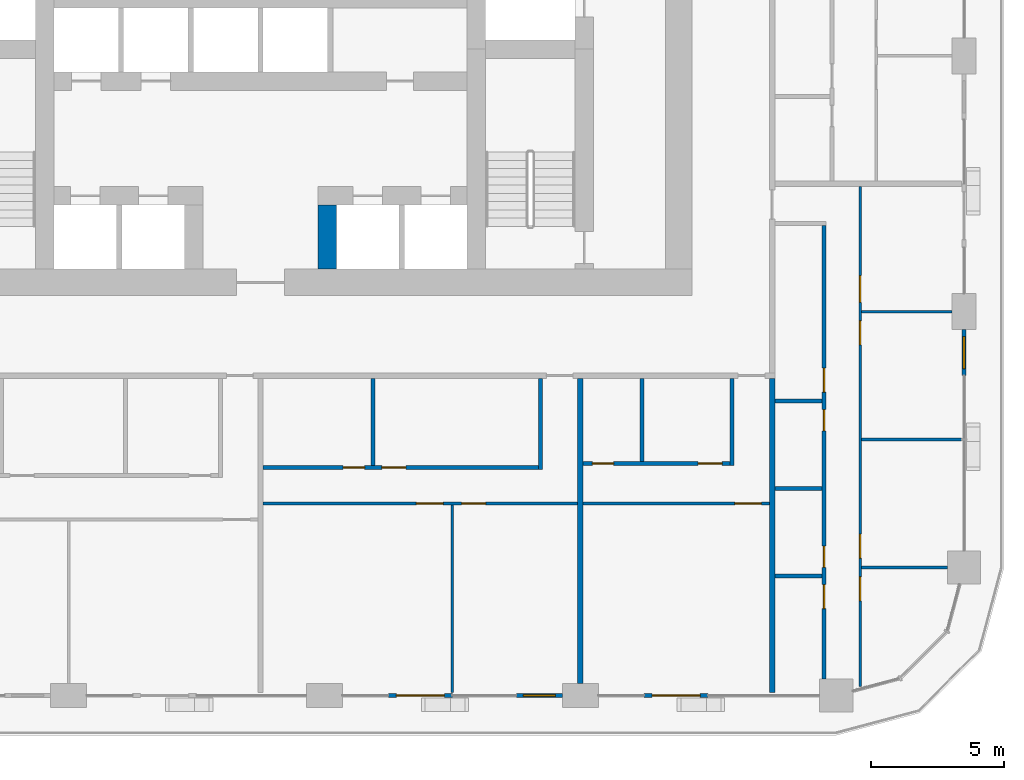
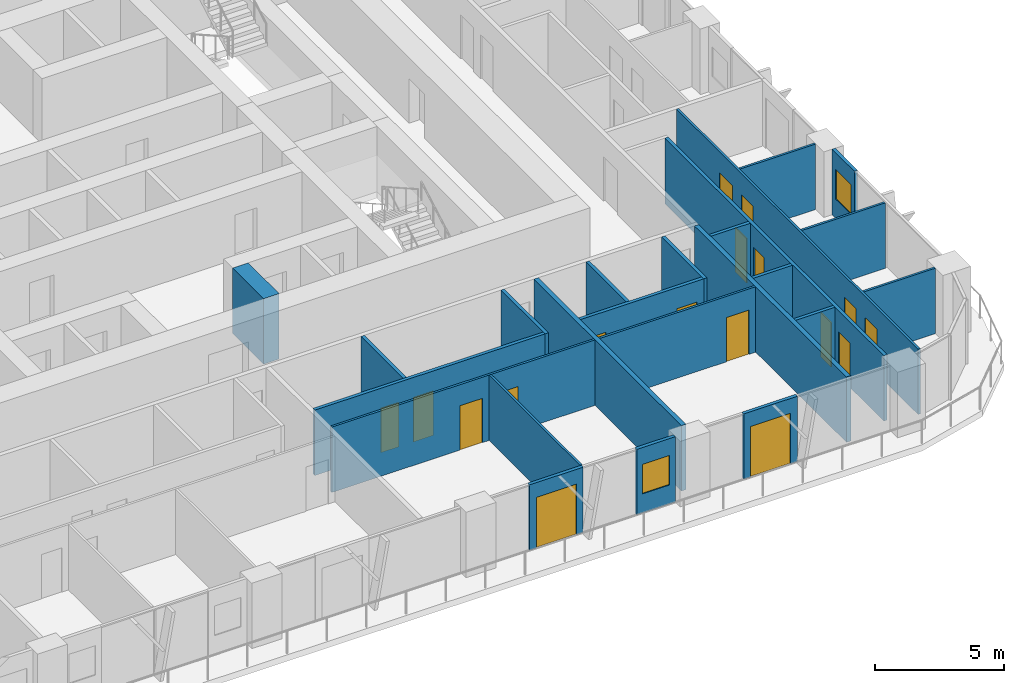
# One storey, part 11 of 21: 24 walls, 17 doors, 2 windows, 19 openings.
"""IFC4 building model written with IfcOpenShell, lengths in metres."""

from ifc_helpers import new_model, si_unit, direction, frame, frame_2d, origin, place, context, subcontext, project, spatial, rectangle, extrude, material, layer, layer_set, type_object, element, fill, save


model = new_model("IFC4")

# Units and contexts
model_context = context("Model", 3, precision=1e-05, world=origin(), true_north=direction((0.0, 1.0)))
body_context = subcontext(model_context, "Body", "Model", "MODEL_VIEW")
ifc_project = project(units=[si_unit("LENGTHUNIT", "METRE"), si_unit("AREAUNIT", "SQUARE_METRE"), si_unit("VOLUMEUNIT", "CUBIC_METRE"), si_unit("PLANEANGLEUNIT", "RADIAN"), si_unit("MASSUNIT", "GRAM", prefix="KILO")], contexts=[model_context])

# Site, building, storey
site_placement = place(None, origin())
site = spatial("IfcSite", under=ifc_project, at=site_placement, CompositionType="ELEMENT")
building_placement = place(site_placement, origin())
building = spatial("IfcBuilding", under=site, at=building_placement, Name="Madar Terraces", CompositionType="ELEMENT")
storey_placement = place(building_placement, frame((0.0, 0.0, 50.39990234375)))
storey = spatial("IfcBuildingStorey", under=building, at=storey_placement, Name="L12", CompositionType="ELEMENT", Elevation=50.39990234375)

# Wall
ifc_material_1 = material(Name="Concrete C80/95", Category="concrete")
ifc_layer_1 = layer(ifc_material_1, 0.699951171875)
ifc_layer_set_1 = layer_set([ifc_layer_1], Name="Concrete C80/95 (CIW1 RC wall 700)")
wall_type_1 = type_object("IfcWallType", Name="CIW1 RC wall 700", PredefinedType="SHEAR", material=ifc_layer_set_1)
wall_1_placement = place(storey_placement, frame((33.699951171875, 16.0, 0.0), z_axis=(0.0, 0.0, 1.0), x_axis=(0.0, 1.0, 0.0)))
element("IfcWall", 1, at=wall_1_placement, inside=storey, type_object=wall_type_1, Name="CORE SHAFT WALL", PredefinedType="SHEAR", context=body_context, shape_type="SweptSolid", body=[
    extrude(rectangle(XDim=2.39990234375, YDim=0.699951171875, at=frame_2d((1.199951171875, 0.0))), origin(), (0.0, 0.0, 1.0), 3.10009765625),
])

# Wall, opening, door
ifc_material_2 = material(Name="Aluminium composite panel, black, over insulated backing", Category="aluminium")
ifc_layer_2 = layer(ifc_material_2, 0.14990234375)
ifc_layer_set_2 = layer_set([ifc_layer_2], Name="Facade bay panel 150")
wall_type_2 = type_object("IfcWallType", Name="Facade bay panel 150", PredefinedType="SOLIDWALL", material=ifc_layer_set_2)
wall_2_placement = place(storey_placement, frame((36.0, 0.0, 0.0), z_axis=(0.0, 0.0, 1.0), x_axis=(1.0, 0.0, 0.0)))
wall_2 = element("IfcWall", 2, at=wall_2_placement, inside=storey, type_object=wall_type_2, Name="Facade bay panel", PredefinedType="SOLIDWALL", context=body_context, shape_type="SweptSolid", body=[
    extrude(rectangle(XDim=2.39990234375, YDim=0.14990234375, at=frame_2d((1.199951171875, 0.0))), origin(), (0.0, 0.0, 1.0), 3.10009765625),
])
opening_1_placement = place(wall_2_placement, frame((0.300048828125, 0.0, 0.0)))
opening_1 = element("IfcOpeningElement", 3, at=opening_1_placement, cuts=wall_2, Name="Opening ED1", PredefinedType="OPENING", context=body_context, shape_type="SweptSolid", body=[
    extrude(rectangle(XDim=1.800048828125, YDim=2.39990234375, at=frame_2d((0.89990234375, 1.199951171875))), frame((0.0, 0.0849609375, 0.0), z_axis=(0.0, -1.0, 0.0), x_axis=(1.0, 0.0, 0.0)), (0.0, 0.0, 1.0), 0.169921875),
])
ifc_material_3 = material(Name="Glass, clear, with black aluminium frame", Category="aluminium")
door_type_1 = type_object("IfcDoorType", Name="Balcony and terrace sliding door 1800 x 2400", OperationType="SLIDING_TO_LEFT", PredefinedType="DOOR", material=ifc_material_3)
door_1_placement = place(opening_1_placement, origin())
door_1 = element("IfcDoor", 4, at=door_1_placement, inside=storey, type_object=door_type_1, Name="Balcony door", OperationType="SLIDING_TO_RIGHT", OverallHeight=2.39990234375, OverallWidth=1.800048828125, PredefinedType="DOOR", context=body_context, shape_type="SweptSolid", body=[
    extrude(rectangle(XDim=1.800048828125, YDim=2.39990234375, at=frame_2d((0.89990234375, 1.199951171875))), frame((0.0, 0.02490234375, 0.0), z_axis=(0.0, -1.0, 0.0), x_axis=(1.0, 0.0, 0.0)), (0.0, 0.0, 1.0), 0.050048828125),
])
fill(opening_1, door_1)

# Wall, opening, window
wall_3_placement = place(storey_placement, frame((40.800048828125, 0.0, 0.0), z_axis=(0.0, 0.0, 1.0), x_axis=(1.0, 0.0, 0.0)))
wall_3 = element("IfcWall", 5, at=wall_3_placement, inside=storey, type_object=wall_type_2, Name="Facade bay panel", PredefinedType="SOLIDWALL", context=body_context, shape_type="SweptSolid", body=[
    extrude(rectangle(XDim=1.724853515625, YDim=0.14990234375, at=frame_2d((0.8623046875, 0.0))), origin(), (0.0, 0.0, 1.0), 3.10009765625),
])
opening_2_placement = place(wall_3_placement, frame((0.262451171875, 0.0, 0.89990234375)))
opening_2 = element("IfcOpeningElement", 6, at=opening_2_placement, cuts=wall_3, Name="Opening W1", PredefinedType="OPENING", context=body_context, shape_type="SweptSolid", body=[
    extrude(rectangle(XDim=1.199951171875, YDim=1.39990234375, at=frame_2d((0.60009765625, 0.699951171875))), frame((0.0, 0.0849609375, 0.0), z_axis=(0.0, -1.0, 0.0), x_axis=(1.0, 0.0, 0.0)), (0.0, 0.0, 1.0), 0.169921875),
])
ifc_material_4 = material(Name="Glass, clear, with black aluminium frame", Category="aluminium")
window_type = type_object("IfcWindowType", Name="Vent window 1200 x 1400", PartitioningType="SINGLE_PANEL", PredefinedType="WINDOW", material=ifc_material_4)
window_1_placement = place(opening_2_placement, origin())
window_1 = element("IfcWindow", 7, at=window_1_placement, inside=storey, type_object=window_type, Name="Operable vent window", OverallHeight=1.39990234375, OverallWidth=1.199951171875, PartitioningType="SINGLE_PANEL", PredefinedType="WINDOW", context=body_context, shape_type="SweptSolid", body=[
    extrude(rectangle(XDim=1.199951171875, YDim=1.39990234375, at=frame_2d((0.60009765625, 0.699951171875))), frame((0.0, 0.030029296875, 0.0), z_axis=(0.0, -1.0, 0.0), x_axis=(1.0, 0.0, 0.0)), (0.0, 0.0, 1.0), 0.06005859375),
])
fill(opening_2, window_1)

# Wall, opening, door
wall_4_placement = place(storey_placement, frame((45.60009765625, 0.0, 0.0), z_axis=(0.0, 0.0, 1.0), x_axis=(1.0, 0.0, 0.0)))
wall_4 = element("IfcWall", 8, at=wall_4_placement, inside=storey, type_object=wall_type_2, Name="Facade bay panel", PredefinedType="SOLIDWALL", context=body_context, shape_type="SweptSolid", body=[
    extrude(rectangle(XDim=2.39990234375, YDim=0.14990234375, at=frame_2d((1.199951171875, 0.0))), origin(), (0.0, 0.0, 1.0), 3.10009765625),
])
opening_3_placement = place(wall_4_placement, frame((0.300048828125, 0.0, 0.0)))
opening_3 = element("IfcOpeningElement", 9, at=opening_3_placement, cuts=wall_4, Name="Opening ED1", PredefinedType="OPENING", context=body_context, shape_type="SweptSolid", body=[
    extrude(rectangle(XDim=1.800048828125, YDim=2.39990234375, at=frame_2d((0.89990234375, 1.199951171875))), frame((0.0, 0.0849609375, 0.0), z_axis=(0.0, -1.0, 0.0), x_axis=(1.0, 0.0, 0.0)), (0.0, 0.0, 1.0), 0.169921875),
])
door_2_placement = place(opening_3_placement, origin())
door_2 = element("IfcDoor", 10, at=door_2_placement, inside=storey, type_object=door_type_1, Name="Balcony door", OperationType="SLIDING_TO_LEFT", OverallHeight=2.39990234375, OverallWidth=1.800048828125, PredefinedType="DOOR", context=body_context, shape_type="SweptSolid", body=[
    extrude(rectangle(XDim=1.800048828125, YDim=2.39990234375, at=frame_2d((0.89990234375, 1.199951171875))), frame((0.0, 0.02490234375, 0.0), z_axis=(0.0, -1.0, 0.0), x_axis=(1.0, 0.0, 0.0)), (0.0, 0.0, 1.0), 0.050048828125),
])
fill(opening_3, door_2)

# Wall, opening, window
wall_5_placement = place(storey_placement, frame((57.60009765625, 12.0, 0.0), z_axis=(0.0, 0.0, 1.0), x_axis=(0.0, 1.0, 0.0)))
wall_5 = element("IfcWall", 11, at=wall_5_placement, inside=storey, type_object=wall_type_2, Name="Facade bay panel", PredefinedType="SOLIDWALL", context=body_context, shape_type="SweptSolid", body=[
    extrude(rectangle(XDim=1.72509765625, YDim=0.14990234375, at=frame_2d((0.862548828125, 0.0))), origin(), (0.0, 0.0, 1.0), 3.10009765625),
])
opening_4_placement = place(wall_5_placement, frame((0.262451171875, 0.0, 0.89990234375)))
opening_4 = element("IfcOpeningElement", 12, at=opening_4_placement, cuts=wall_5, Name="Opening W1", PredefinedType="OPENING", context=body_context, shape_type="SweptSolid", body=[
    extrude(rectangle(XDim=1.199951171875, YDim=1.39990234375, at=frame_2d((0.60009765625, 0.699951171875))), frame((0.0, 0.0849609375, 0.0), z_axis=(0.0, -1.0, 0.0), x_axis=(1.0, 0.0, 0.0)), (0.0, 0.0, 1.0), 0.169921875),
])
window_2_placement = place(opening_4_placement, origin())
window_2 = element("IfcWindow", 13, at=window_2_placement, inside=storey, type_object=window_type, Name="Operable vent window", OverallHeight=1.39990234375, OverallWidth=1.199951171875, PartitioningType="SINGLE_PANEL", PredefinedType="WINDOW", context=body_context, shape_type="SweptSolid", body=[
    extrude(rectangle(XDim=1.199951171875, YDim=1.39990234375, at=frame_2d((0.60009765625, 0.699951171875))), frame((0.0, 0.030029296875, 0.0), z_axis=(0.0, -1.0, 0.0), x_axis=(1.0, 0.0, 0.0)), (0.0, 0.0, 1.0), 0.06005859375),
])
fill(opening_4, window_2)

# Wall
ifc_material_5 = material(Name="Gypsum board on steel studs", Category="steel")
ifc_layer_3 = layer(ifc_material_5, 0.10009765625)
ifc_layer_set_3 = layer_set([ifc_layer_3], Name="Flat partition 100")
wall_type_3 = type_object("IfcWallType", Name="Flat partition 100", PredefinedType="PARTITIONING", material=ifc_layer_set_3)
wall_6_placement = place(storey_placement, frame((38.39990234375, 7.14990234375, 0.0), z_axis=(0.0, 0.0, 1.0), x_axis=(0.0, -1.0, 0.0)))
element("IfcWall", 14, at=wall_6_placement, inside=storey, type_object=wall_type_3, Name="Flat partition 100", PredefinedType="PARTITIONING", context=body_context, shape_type="SweptSolid", body=[
    extrude(rectangle(XDim=7.0498046875, YDim=0.10009765625, at=frame_2d((3.52490234375, 0.0))), origin(), (0.0, 0.0, 1.0), 3.10009765625),
])

# Wall, openings, doors
wall_7_placement = place(storey_placement, frame((43.10009765625, 7.199951171875, 0.0), z_axis=(0.0, 0.0, 1.0), x_axis=(-1.0, 0.0, 0.0)))
wall_7 = element("IfcWall", 15, at=wall_7_placement, inside=storey, type_object=wall_type_3, Name="Flat partition 100", PredefinedType="PARTITIONING", context=body_context, shape_type="SweptSolid", body=[
    extrude(rectangle(XDim=11.800048828125, YDim=0.10009765625, at=frame_2d((5.89990234375, 0.0))), origin(), (0.0, 0.0, 1.0), 3.10009765625),
])
opening_5_placement = place(wall_7_placement, frame((3.449951171875, 0.0, 0.0)))
opening_5 = element("IfcOpeningElement", 16, at=opening_5_placement, cuts=wall_7, Name="Opening D2", PredefinedType="OPENING", context=body_context, shape_type="SweptSolid", body=[
    extrude(rectangle(XDim=0.89990234375, YDim=2.10009765625, at=frame_2d((0.449951171875, 1.050048828125))), frame((0.0, 0.06005859375, 0.0), z_axis=(0.0, -1.0, 0.0), x_axis=(1.0, 0.0, 0.0)), (0.0, 0.0, 1.0), 0.1201171875),
])
opening_6_placement = place(wall_7_placement, frame((5.050048828125, 0.0, 0.0)))
opening_6 = element("IfcOpeningElement", 17, at=opening_6_placement, cuts=wall_7, Name="Opening D3", PredefinedType="OPENING", context=body_context, shape_type="SweptSolid", body=[
    extrude(rectangle(XDim=1.0, YDim=2.10009765625, at=frame_2d((0.5, 1.050048828125))), frame((0.0, 0.06005859375, 0.0), z_axis=(0.0, -1.0, 0.0), x_axis=(1.0, 0.0, 0.0)), (0.0, 0.0, 1.0), 0.1201171875),
])
ifc_material_6 = material(Name="Timber door leaf", Category="wood")
door_type_2 = type_object("IfcDoorType", Name="Flat living room door 1000", OperationType="NOTDEFINED", PredefinedType="DOOR", material=ifc_material_6)
door_3_placement = place(opening_6_placement, origin())
door_3 = element("IfcDoor", 18, at=door_3_placement, inside=storey, type_object=door_type_2, Name="Flat living room door 1000", OperationType="SINGLE_SWING_LEFT", OverallHeight=2.10009765625, OverallWidth=1.0, PredefinedType="DOOR", context=body_context, shape_type="SweptSolid", body=[
    extrude(rectangle(XDim=1.0, YDim=2.10009765625, at=frame_2d((0.5, 1.050048828125))), frame((0.0, 0.02490234375, 0.0), z_axis=(0.0, -1.0, 0.0), x_axis=(1.0, 0.0, 0.0)), (0.0, 0.0, 1.0), 0.050048828125),
])
fill(opening_6, door_3)
ifc_material_7 = material(Name="Timber door leaf", Category="wood")
door_type_3 = type_object("IfcDoorType", Name="Flat room door 900", OperationType="NOTDEFINED", PredefinedType="DOOR", material=ifc_material_7)
door_4_placement = place(opening_5_placement, origin())
door_4 = element("IfcDoor", 19, at=door_4_placement, inside=storey, type_object=door_type_3, Name="Flat room door 900", OperationType="SINGLE_SWING_RIGHT", OverallHeight=2.10009765625, OverallWidth=0.89990234375, PredefinedType="DOOR", context=body_context, shape_type="SweptSolid", body=[
    extrude(rectangle(XDim=0.89990234375, YDim=2.10009765625, at=frame_2d((0.449951171875, 1.050048828125))), frame((0.0, 0.02490234375, 0.0), z_axis=(0.0, -1.0, 0.0), x_axis=(1.0, 0.0, 0.0)), (0.0, 0.0, 1.0), 0.050048828125),
])
fill(opening_5, door_4)

# Wall, opening, door
wall_8_placement = place(storey_placement, frame((50.300048828125, 7.199951171875, 0.0), z_axis=(0.0, 0.0, 1.0), x_axis=(-1.0, 0.0, 0.0)))
wall_8 = element("IfcWall", 20, at=wall_8_placement, inside=storey, type_object=wall_type_3, Name="Flat partition 100", PredefinedType="PARTITIONING", context=body_context, shape_type="SweptSolid", body=[
    extrude(rectangle(XDim=7.0, YDim=0.10009765625, at=frame_2d((3.5, 0.0))), origin(), (0.0, 0.0, 1.0), 3.10009765625),
])
opening_7_placement = place(wall_8_placement, frame((0.300048828125, 0.0, 0.0)))
opening_7 = element("IfcOpeningElement", 21, at=opening_7_placement, cuts=wall_8, Name="Opening D3", PredefinedType="OPENING", context=body_context, shape_type="SweptSolid", body=[
    extrude(rectangle(XDim=1.0, YDim=2.10009765625, at=frame_2d((0.5, 1.050048828125))), frame((0.0, 0.06005859375, 0.0), z_axis=(0.0, -1.0, 0.0), x_axis=(1.0, 0.0, 0.0)), (0.0, 0.0, 1.0), 0.1201171875),
])
door_5_placement = place(opening_7_placement, origin())
door_5 = element("IfcDoor", 22, at=door_5_placement, inside=storey, type_object=door_type_2, Name="Flat living room door 1000", OperationType="SINGLE_SWING_LEFT", OverallHeight=2.10009765625, OverallWidth=1.0, PredefinedType="DOOR", context=body_context, shape_type="SweptSolid", body=[
    extrude(rectangle(XDim=1.0, YDim=2.10009765625, at=frame_2d((0.5, 1.050048828125))), frame((0.0, 0.02490234375, 0.0), z_axis=(0.0, -1.0, 0.0), x_axis=(1.0, 0.0, 0.0)), (0.0, 0.0, 1.0), 0.050048828125),
])
fill(opening_7, door_5)

# Walls
wall_9_placement = place(storey_placement, frame((53.75, 14.39990234375, 0.0), z_axis=(0.0, 0.0, 1.0), x_axis=(1.0, 0.0, 0.0)))
element("IfcWall", 23, at=wall_9_placement, inside=storey, type_object=wall_type_3, Name="Flat partition 100", PredefinedType="PARTITIONING", context=body_context, shape_type="SweptSolid", body=[
    extrude(rectangle(XDim=3.39990234375, YDim=0.10009765625, at=frame_2d((1.699951171875, 0.0))), origin(), (0.0, 0.0, 1.0), 3.10009765625),
])
wall_10_placement = place(storey_placement, frame((53.75, 9.60009765625, 0.0), z_axis=(0.0, 0.0, 1.0), x_axis=(1.0, 0.0, 0.0)))
element("IfcWall", 24, at=wall_10_placement, inside=storey, type_object=wall_type_3, Name="Flat partition 100", PredefinedType="PARTITIONING", context=body_context, shape_type="SweptSolid", body=[
    extrude(rectangle(XDim=3.75, YDim=0.10009765625, at=frame_2d((1.875, 0.0))), origin(), (0.0, 0.0, 1.0), 3.10009765625),
])
wall_11_placement = place(storey_placement, frame((53.75, 4.800048828125, 0.0), z_axis=(0.0, 0.0, 1.0), x_axis=(1.0, 0.0, 0.0)))
element("IfcWall", 25, at=wall_11_placement, inside=storey, type_object=wall_type_3, Name="Flat partition 100", PredefinedType="PARTITIONING", context=body_context, shape_type="SweptSolid", body=[
    extrude(rectangle(XDim=3.22509765625, YDim=0.10009765625, at=frame_2d((1.612548828125, 0.0))), origin(), (0.0, 0.0, 1.0), 3.10009765625),
])

# Wall, openings, doors
wall_12_placement = place(storey_placement, frame((53.699951171875, 19.10009765625, 0.0), z_axis=(0.0, 0.0, 1.0), x_axis=(0.0, -1.0, 0.0)))
wall_12 = element("IfcWall", 26, at=wall_12_placement, inside=storey, type_object=wall_type_3, Name="Flat partition 100", PredefinedType="PARTITIONING", context=body_context, shape_type="SweptSolid", body=[
    extrude(rectangle(XDim=18.7587890625, YDim=0.10009765625, at=frame_2d((9.37939453125, 0.0))), origin(), (0.0, 0.0, 1.0), 3.10009765625),
])
opening_8_placement = place(wall_12_placement, frame((3.35009765625, 0.0, 0.0)))
opening_8 = element("IfcOpeningElement", 27, at=opening_8_placement, cuts=wall_12, Name="Opening D3", PredefinedType="OPENING", context=body_context, shape_type="SweptSolid", body=[
    extrude(rectangle(XDim=1.0, YDim=2.10009765625, at=frame_2d((0.5, 1.050048828125))), frame((0.0, 0.06005859375, 0.0), z_axis=(0.0, -1.0, 0.0), x_axis=(1.0, 0.0, 0.0)), (0.0, 0.0, 1.0), 0.1201171875),
])
opening_9_placement = place(wall_12_placement, frame((5.050048828125, 0.0, 0.0)))
opening_9 = element("IfcOpeningElement", 28, at=opening_9_placement, cuts=wall_12, Name="Opening D2", PredefinedType="OPENING", context=body_context, shape_type="SweptSolid", body=[
    extrude(rectangle(XDim=0.89990234375, YDim=2.10009765625, at=frame_2d((0.449951171875, 1.050048828125))), frame((0.0, 0.06005859375, 0.0), z_axis=(0.0, -1.0, 0.0), x_axis=(1.0, 0.0, 0.0)), (0.0, 0.0, 1.0), 0.1201171875),
])
opening_10_placement = place(wall_12_placement, frame((13.050048828125, 0.0, 0.0)))
opening_10 = element("IfcOpeningElement", 29, at=opening_10_placement, cuts=wall_12, Name="Opening D2", PredefinedType="OPENING", context=body_context, shape_type="SweptSolid", body=[
    extrude(rectangle(XDim=0.89990234375, YDim=2.10009765625, at=frame_2d((0.449951171875, 1.050048828125))), frame((0.0, 0.06005859375, 0.0), z_axis=(0.0, -1.0, 0.0), x_axis=(1.0, 0.0, 0.0)), (0.0, 0.0, 1.0), 0.1201171875),
])
opening_11_placement = place(wall_12_placement, frame((14.64990234375, 0.0, 0.0)))
opening_11 = element("IfcOpeningElement", 30, at=opening_11_placement, cuts=wall_12, Name="Opening D2", PredefinedType="OPENING", context=body_context, shape_type="SweptSolid", body=[
    extrude(rectangle(XDim=0.89990234375, YDim=2.10009765625, at=frame_2d((0.449951171875, 1.050048828125))), frame((0.0, 0.06005859375, 0.0), z_axis=(0.0, -1.0, 0.0), x_axis=(1.0, 0.0, 0.0)), (0.0, 0.0, 1.0), 0.1201171875),
])
door_6_placement = place(opening_8_placement, origin())
door_6 = element("IfcDoor", 31, at=door_6_placement, inside=storey, type_object=door_type_2, Name="Flat living room door 1000", OperationType="SINGLE_SWING_RIGHT", OverallHeight=2.10009765625, OverallWidth=1.0, PredefinedType="DOOR", context=body_context, shape_type="SweptSolid", body=[
    extrude(rectangle(XDim=1.0, YDim=2.10009765625, at=frame_2d((0.5, 1.050048828125))), frame((0.0, 0.02490234375, 0.0), z_axis=(0.0, -1.0, 0.0), x_axis=(1.0, 0.0, 0.0)), (0.0, 0.0, 1.0), 0.050048828125),
])
fill(opening_8, door_6)
door_7_placement = place(opening_9_placement, origin())
door_7 = element("IfcDoor", 32, at=door_7_placement, inside=storey, type_object=door_type_3, Name="Flat room door 900", OperationType="SINGLE_SWING_LEFT", OverallHeight=2.10009765625, OverallWidth=0.89990234375, PredefinedType="DOOR", context=body_context, shape_type="SweptSolid", body=[
    extrude(rectangle(XDim=0.89990234375, YDim=2.10009765625, at=frame_2d((0.449951171875, 1.050048828125))), frame((0.0, 0.02490234375, 0.0), z_axis=(0.0, -1.0, 0.0), x_axis=(1.0, 0.0, 0.0)), (0.0, 0.0, 1.0), 0.050048828125),
])
fill(opening_9, door_7)
door_8_placement = place(opening_10_placement, origin())
door_8 = element("IfcDoor", 33, at=door_8_placement, inside=storey, type_object=door_type_3, Name="Flat room door 900", OperationType="SINGLE_SWING_RIGHT", OverallHeight=2.10009765625, OverallWidth=0.89990234375, PredefinedType="DOOR", context=body_context, shape_type="SweptSolid", body=[
    extrude(rectangle(XDim=0.89990234375, YDim=2.10009765625, at=frame_2d((0.449951171875, 1.050048828125))), frame((0.0, 0.02490234375, 0.0), z_axis=(0.0, -1.0, 0.0), x_axis=(1.0, 0.0, 0.0)), (0.0, 0.0, 1.0), 0.050048828125),
])
fill(opening_10, door_8)
door_9_placement = place(opening_11_placement, origin())
door_9 = element("IfcDoor", 34, at=door_9_placement, inside=storey, type_object=door_type_3, Name="Flat room door 900", OperationType="SINGLE_SWING_LEFT", OverallHeight=2.10009765625, OverallWidth=0.89990234375, PredefinedType="DOOR", context=body_context, shape_type="SweptSolid", body=[
    extrude(rectangle(XDim=0.89990234375, YDim=2.10009765625, at=frame_2d((0.449951171875, 1.050048828125))), frame((0.0, 0.02490234375, 0.0), z_axis=(0.0, -1.0, 0.0), x_axis=(1.0, 0.0, 0.0)), (0.0, 0.0, 1.0), 0.050048828125),
])
fill(opening_11, door_9)

# Walls
ifc_material_8 = material(Name="Lightweight blockwork", Category="masonry")
ifc_layer_4 = layer(ifc_material_8, 0.199951171875)
ifc_layer_set_4 = layer_set([ifc_layer_4], Name="Flat party and entrance wall 200")
wall_type_4 = type_object("IfcWallType", Name="Flat party and entrance wall 200", PredefinedType="PARTITIONING", material=ifc_layer_set_4)
wall_13_placement = place(storey_placement, frame((43.199951171875, 11.89990234375, 0.0), z_axis=(0.0, 0.0, 1.0), x_axis=(0.0, -1.0, 0.0)))
element("IfcWall", 35, at=wall_13_placement, inside=storey, type_object=wall_type_4, Name="Flat party and entrance wall 200", PredefinedType="PARTITIONING", context=body_context, shape_type="SweptSolid", body=[
    extrude(rectangle(XDim=11.449951171875, YDim=0.199951171875, at=frame_2d((5.72509765625, 0.0))), origin(), (0.0, 0.0, 1.0), 3.10009765625),
])
wall_14_placement = place(storey_placement, frame((50.39990234375, 11.89990234375, 0.0), z_axis=(0.0, 0.0, 1.0), x_axis=(0.0, -1.0, 0.0)))
element("IfcWall", 36, at=wall_14_placement, inside=storey, type_object=wall_type_4, Name="Flat party and entrance wall 200", PredefinedType="PARTITIONING", context=body_context, shape_type="SweptSolid", body=[
    extrude(rectangle(XDim=11.7998046875, YDim=0.199951171875, at=frame_2d((5.89990234375, 0.0))), origin(), (0.0, 0.0, 1.0), 3.10009765625),
])
ifc_material_9 = material(Name="Lightweight blockwork", Category="masonry")
ifc_layer_5 = layer(ifc_material_9, 0.14990234375)
ifc_layer_set_5 = layer_set([ifc_layer_5], Name="Flat wet-room partition 150")
wall_type_5 = type_object("IfcWallType", Name="Flat wet-room partition 150", PredefinedType="PARTITIONING", material=ifc_layer_set_5)
wall_15_placement = place(storey_placement, frame((35.429931640625, 11.89990234375, 0.0), z_axis=(0.0, 0.0, 1.0), x_axis=(0.0, -1.0, 0.0)))
element("IfcWall", 37, at=wall_15_placement, inside=storey, type_object=wall_type_5, Name="Flat wet-room partition 150", PredefinedType="PARTITIONING", context=body_context, shape_type="SweptSolid", body=[
    extrude(rectangle(XDim=3.27490234375, YDim=0.14990234375, at=frame_2d((1.637451171875, 0.0))), origin(), (0.0, 0.0, 1.0), 3.10009765625),
])
wall_16_placement = place(storey_placement, frame((41.699951171875, 11.89990234375, 0.0), z_axis=(0.0, 0.0, 1.0), x_axis=(0.0, -1.0, 0.0)))
element("IfcWall", 38, at=wall_16_placement, inside=storey, type_object=wall_type_5, Name="Flat wet-room partition 150", PredefinedType="PARTITIONING", context=body_context, shape_type="SweptSolid", body=[
    extrude(rectangle(XDim=3.4248046875, YDim=0.14990234375, at=frame_2d((1.71240234375, 0.0))), origin(), (0.0, 0.0, 1.0), 3.10009765625),
])

# Wall, openings, doors
wall_17_placement = place(storey_placement, frame((31.300048828125, 8.550048828125, 0.0), z_axis=(0.0, 0.0, 1.0), x_axis=(1.0, 0.0, 0.0)))
wall_17 = element("IfcWall", 39, at=wall_17_placement, inside=storey, type_object=wall_type_5, Name="Flat wet-room partition 150", PredefinedType="PARTITIONING", context=body_context, shape_type="SweptSolid", body=[
    extrude(rectangle(XDim=10.324951171875, YDim=0.14990234375, at=frame_2d((5.16259765625, 0.0))), origin(), (0.0, 0.0, 1.0), 3.10009765625),
])
opening_12_placement = place(wall_17_placement, frame((4.455078125, 0.0, 0.0)))
opening_12 = element("IfcOpeningElement", 40, at=opening_12_placement, cuts=wall_17, Name="Opening D2", PredefinedType="OPENING", context=body_context, shape_type="SweptSolid", body=[
    extrude(rectangle(XDim=0.89990234375, YDim=2.10009765625, at=frame_2d((0.449951171875, 1.050048828125))), frame((0.0, 0.0849609375, 0.0), z_axis=(0.0, -1.0, 0.0), x_axis=(1.0, 0.0, 0.0)), (0.0, 0.0, 1.0), 0.169921875),
])
opening_13_placement = place(wall_17_placement, frame((3.0048828125, 0.0, 0.0)))
opening_13 = element("IfcOpeningElement", 41, at=opening_13_placement, cuts=wall_17, Name="Opening D4", PredefinedType="OPENING", context=body_context, shape_type="SweptSolid", body=[
    extrude(rectangle(XDim=0.800048828125, YDim=2.10009765625, at=frame_2d((0.39990234375, 1.050048828125))), frame((0.0, 0.0849609375, 0.0), z_axis=(0.0, -1.0, 0.0), x_axis=(1.0, 0.0, 0.0)), (0.0, 0.0, 1.0), 0.169921875),
])
ifc_material_10 = material(Name="Timber door leaf", Category="wood")
door_type_4 = type_object("IfcDoorType", Name="Flat bathroom door 800", OperationType="NOTDEFINED", PredefinedType="DOOR", material=ifc_material_10)
door_10_placement = place(opening_13_placement, origin())
door_10 = element("IfcDoor", 42, at=door_10_placement, inside=storey, type_object=door_type_4, Name="Flat bathroom door 800", OperationType="SINGLE_SWING_RIGHT", OverallHeight=2.10009765625, OverallWidth=0.800048828125, PredefinedType="DOOR", context=body_context, shape_type="SweptSolid", body=[
    extrude(rectangle(XDim=0.800048828125, YDim=2.10009765625, at=frame_2d((0.39990234375, 1.050048828125))), frame((0.0, 0.02490234375, 0.0), z_axis=(0.0, -1.0, 0.0), x_axis=(1.0, 0.0, 0.0)), (0.0, 0.0, 1.0), 0.050048828125),
])
fill(opening_13, door_10)
door_11_placement = place(opening_12_placement, origin())
door_11 = element("IfcDoor", 43, at=door_11_placement, inside=storey, type_object=door_type_3, Name="Flat room door 900", OperationType="SINGLE_SWING_LEFT", OverallHeight=2.10009765625, OverallWidth=0.89990234375, PredefinedType="DOOR", context=body_context, shape_type="SweptSolid", body=[
    extrude(rectangle(XDim=0.89990234375, YDim=2.10009765625, at=frame_2d((0.449951171875, 1.050048828125))), frame((0.0, 0.02490234375, 0.0), z_axis=(0.0, -1.0, 0.0), x_axis=(1.0, 0.0, 0.0)), (0.0, 0.0, 1.0), 0.050048828125),
])
fill(opening_12, door_11)

# Walls
wall_18_placement = place(storey_placement, frame((45.510009765625, 11.89990234375, 0.0), z_axis=(0.0, 0.0, 1.0), x_axis=(0.0, -1.0, 0.0)))
element("IfcWall", 44, at=wall_18_placement, inside=storey, type_object=wall_type_5, Name="Flat wet-room partition 150", PredefinedType="PARTITIONING", context=body_context, shape_type="SweptSolid", body=[
    extrude(rectangle(XDim=3.125, YDim=0.14990234375, at=frame_2d((1.5625, 0.0))), origin(), (0.0, 0.0, 1.0), 3.10009765625),
])
wall_19_placement = place(storey_placement, frame((48.89990234375, 11.89990234375, 0.0), z_axis=(0.0, 0.0, 1.0), x_axis=(0.0, -1.0, 0.0)))
element("IfcWall", 45, at=wall_19_placement, inside=storey, type_object=wall_type_5, Name="Flat wet-room partition 150", PredefinedType="PARTITIONING", context=body_context, shape_type="SweptSolid", body=[
    extrude(rectangle(XDim=3.27490234375, YDim=0.14990234375, at=frame_2d((1.637451171875, 0.0))), origin(), (0.0, 0.0, 1.0), 3.10009765625),
])

# Wall, openings, doors
wall_20_placement = place(storey_placement, frame((43.300048828125, 8.699951171875, 0.0), z_axis=(0.0, 0.0, 1.0), x_axis=(1.0, 0.0, 0.0)))
wall_20 = element("IfcWall", 46, at=wall_20_placement, inside=storey, type_object=wall_type_5, Name="Flat wet-room partition 150", PredefinedType="PARTITIONING", context=body_context, shape_type="SweptSolid", body=[
    extrude(rectangle(XDim=5.52490234375, YDim=0.14990234375, at=frame_2d((2.762451171875, 0.0))), origin(), (0.0, 0.0, 1.0), 3.10009765625),
])
opening_14_placement = place(wall_20_placement, frame((4.324951171875, 0.0, 0.0)))
opening_14 = element("IfcOpeningElement", 47, at=opening_14_placement, cuts=wall_20, Name="Opening D2", PredefinedType="OPENING", context=body_context, shape_type="SweptSolid", body=[
    extrude(rectangle(XDim=0.89990234375, YDim=2.10009765625, at=frame_2d((0.449951171875, 1.050048828125))), frame((0.0, 0.0849609375, 0.0), z_axis=(0.0, -1.0, 0.0), x_axis=(1.0, 0.0, 0.0)), (0.0, 0.0, 1.0), 0.169921875),
])
opening_15_placement = place(wall_20_placement, frame((0.35009765625, 0.0, 0.0)))
opening_15 = element("IfcOpeningElement", 48, at=opening_15_placement, cuts=wall_20, Name="Opening D4", PredefinedType="OPENING", context=body_context, shape_type="SweptSolid", body=[
    extrude(rectangle(XDim=0.800048828125, YDim=2.10009765625, at=frame_2d((0.39990234375, 1.050048828125))), frame((0.0, 0.0849609375, 0.0), z_axis=(0.0, -1.0, 0.0), x_axis=(1.0, 0.0, 0.0)), (0.0, 0.0, 1.0), 0.169921875),
])
door_12_placement = place(opening_15_placement, origin())
door_12 = element("IfcDoor", 49, at=door_12_placement, inside=storey, type_object=door_type_4, Name="Flat bathroom door 800", OperationType="SINGLE_SWING_LEFT", OverallHeight=2.10009765625, OverallWidth=0.800048828125, PredefinedType="DOOR", context=body_context, shape_type="SweptSolid", body=[
    extrude(rectangle(XDim=0.800048828125, YDim=2.10009765625, at=frame_2d((0.39990234375, 1.050048828125))), frame((0.0, 0.02490234375, 0.0), z_axis=(0.0, -1.0, 0.0), x_axis=(1.0, 0.0, 0.0)), (0.0, 0.0, 1.0), 0.050048828125),
])
fill(opening_15, door_12)
door_13_placement = place(opening_14_placement, origin())
door_13 = element("IfcDoor", 50, at=door_13_placement, inside=storey, type_object=door_type_3, Name="Flat room door 900", OperationType="SINGLE_SWING_RIGHT", OverallHeight=2.10009765625, OverallWidth=0.89990234375, PredefinedType="DOOR", context=body_context, shape_type="SweptSolid", body=[
    extrude(rectangle(XDim=0.89990234375, YDim=2.10009765625, at=frame_2d((0.449951171875, 1.050048828125))), frame((0.0, 0.02490234375, 0.0), z_axis=(0.0, -1.0, 0.0), x_axis=(1.0, 0.0, 0.0)), (0.0, 0.0, 1.0), 0.050048828125),
])
fill(opening_14, door_13)

# Walls
for number, where, z_axis, x_axis, name in (
    (51, (50.5, 11.052978515625, 0.0), (0.0, 0.0, 1.0), (1.0, 0.0, 0.0), "Flat wet-room partition 150"),
    (52, (50.5, 7.76708984375, 0.0), (0.0, 0.0, 1.0), (1.0, 0.0, 0.0), "Flat wet-room partition 150"),
    (53, (50.5, 4.481201171875, 0.0), (0.0, 0.0, 1.0), (1.0, 0.0, 0.0), "Flat wet-room partition 150"),
):
    element("IfcWall", number, at=place(storey_placement, frame(where, z_axis=z_axis, x_axis=x_axis)), inside=storey, type_object=wall_type_5, Name=name, PredefinedType="PARTITIONING", context=body_context, shape_type="SweptSolid", body=[
        extrude(rectangle(XDim=1.77490234375, YDim=0.14990234375, at=frame_2d((0.887451171875, 0.0))), origin(), (0.0, 0.0, 1.0), 3.10009765625),
    ])

# Wall, openings, doors
wall_21_placement = place(storey_placement, frame((52.35009765625, 0.625, 0.0), z_axis=(0.0, 0.0, 1.0), x_axis=(0.0, 1.0, 0.0)))
wall_21 = element("IfcWall", 54, at=wall_21_placement, inside=storey, type_object=wall_type_5, Name="Flat wet-room partition 150", PredefinedType="PARTITIONING", context=body_context, shape_type="SweptSolid", body=[
    extrude(rectangle(XDim=17.0, YDim=0.14990234375, at=frame_2d((8.5, 0.0))), origin(), (0.0, 0.0, 1.0), 3.10009765625),
])
opening_16_placement = place(wall_21_placement, frame((10.753173828125, 0.0, 0.0)))
opening_16 = element("IfcOpeningElement", 55, at=opening_16_placement, cuts=wall_21, Name="Opening D2", PredefinedType="OPENING", context=body_context, shape_type="SweptSolid", body=[
    extrude(rectangle(XDim=0.89990234375, YDim=2.10009765625, at=frame_2d((0.449951171875, 1.050048828125))), frame((0.0, 0.0849609375, 0.0), z_axis=(0.0, -1.0, 0.0), x_axis=(1.0, 0.0, 0.0)), (0.0, 0.0, 1.0), 0.169921875),
])
opening_17_placement = place(wall_21_placement, frame((9.302978515625, 0.0, 0.0)))
opening_17 = element("IfcOpeningElement", 56, at=opening_17_placement, cuts=wall_21, Name="Opening D4", PredefinedType="OPENING", context=body_context, shape_type="SweptSolid", body=[
    extrude(rectangle(XDim=0.800048828125, YDim=2.10009765625, at=frame_2d((0.39990234375, 1.050048828125))), frame((0.0, 0.0849609375, 0.0), z_axis=(0.0, -1.0, 0.0), x_axis=(1.0, 0.0, 0.0)), (0.0, 0.0, 1.0), 0.169921875),
])
opening_18_placement = place(wall_21_placement, frame((4.181396484375, 0.0, 0.0)))
opening_18 = element("IfcOpeningElement", 57, at=opening_18_placement, cuts=wall_21, Name="Opening D7", PredefinedType="OPENING", context=body_context, shape_type="SweptSolid", body=[
    extrude(rectangle(XDim=0.800048828125, YDim=2.10009765625, at=frame_2d((0.39990234375, 1.050048828125))), frame((0.0, 0.0849609375, 0.0), z_axis=(0.0, -1.0, 0.0), x_axis=(1.0, 0.0, 0.0)), (0.0, 0.0, 1.0), 0.169921875),
])
opening_19_placement = place(wall_21_placement, frame((2.63134765625, 0.0, 0.0)))
opening_19 = element("IfcOpeningElement", 58, at=opening_19_placement, cuts=wall_21, Name="Opening D5", PredefinedType="OPENING", context=body_context, shape_type="SweptSolid", body=[
    extrude(rectangle(XDim=0.89990234375, YDim=2.10009765625, at=frame_2d((0.449951171875, 1.050048828125))), frame((0.0, 0.0849609375, 0.0), z_axis=(0.0, -1.0, 0.0), x_axis=(1.0, 0.0, 0.0)), (0.0, 0.0, 1.0), 0.169921875),
])
ifc_material_11 = material(Name="Timber door leaf", Category="wood")
door_type_5 = type_object("IfcDoorType", Name="Flat accessible bathroom door 900", OperationType="NOTDEFINED", PredefinedType="DOOR", material=ifc_material_11)
door_14_placement = place(opening_19_placement, origin())
door_14 = element("IfcDoor", 59, at=door_14_placement, inside=storey, type_object=door_type_5, Name="Flat accessible bathroom door 900", OperationType="SINGLE_SWING_RIGHT", OverallHeight=2.10009765625, OverallWidth=0.89990234375, PredefinedType="DOOR", context=body_context, shape_type="SweptSolid", body=[
    extrude(rectangle(XDim=0.89990234375, YDim=2.10009765625, at=frame_2d((0.449951171875, 1.050048828125))), frame((0.0, 0.02490234375, 0.0), z_axis=(0.0, -1.0, 0.0), x_axis=(1.0, 0.0, 0.0)), (0.0, 0.0, 1.0), 0.050048828125),
])
fill(opening_19, door_14)
door_15_placement = place(opening_17_placement, origin())
door_15 = element("IfcDoor", 60, at=door_15_placement, inside=storey, type_object=door_type_4, Name="Flat bathroom door 800", OperationType="SINGLE_SWING_RIGHT", OverallHeight=2.10009765625, OverallWidth=0.800048828125, PredefinedType="DOOR", context=body_context, shape_type="SweptSolid", body=[
    extrude(rectangle(XDim=0.800048828125, YDim=2.10009765625, at=frame_2d((0.39990234375, 1.050048828125))), frame((0.0, 0.02490234375, 0.0), z_axis=(0.0, -1.0, 0.0), x_axis=(1.0, 0.0, 0.0)), (0.0, 0.0, 1.0), 0.050048828125),
])
fill(opening_17, door_15)
door_16_placement = place(opening_16_placement, origin())
door_16 = element("IfcDoor", 61, at=door_16_placement, inside=storey, type_object=door_type_3, Name="Flat room door 900", OperationType="SINGLE_SWING_LEFT", OverallHeight=2.10009765625, OverallWidth=0.89990234375, PredefinedType="DOOR", context=body_context, shape_type="SweptSolid", body=[
    extrude(rectangle(XDim=0.89990234375, YDim=2.10009765625, at=frame_2d((0.449951171875, 1.050048828125))), frame((0.0, 0.02490234375, 0.0), z_axis=(0.0, -1.0, 0.0), x_axis=(1.0, 0.0, 0.0)), (0.0, 0.0, 1.0), 0.050048828125),
])
fill(opening_16, door_16)
ifc_material_12 = material(Name="Timber door leaf", Category="wood")
door_type_6 = type_object("IfcDoorType", Name="Flat utility door 800", OperationType="NOTDEFINED", PredefinedType="DOOR", material=ifc_material_12)
door_17_placement = place(opening_18_placement, origin())
door_17 = element("IfcDoor", 62, at=door_17_placement, inside=storey, type_object=door_type_6, Name="Flat utility door 800", OperationType="SINGLE_SWING_LEFT", OverallHeight=2.10009765625, OverallWidth=0.800048828125, PredefinedType="DOOR", context=body_context, shape_type="SweptSolid", body=[
    extrude(rectangle(XDim=0.800048828125, YDim=2.10009765625, at=frame_2d((0.39990234375, 1.050048828125))), frame((0.0, 0.02490234375, 0.0), z_axis=(0.0, -1.0, 0.0), x_axis=(1.0, 0.0, 0.0)), (0.0, 0.0, 1.0), 0.050048828125),
])
fill(opening_18, door_17)

save(model, "model.ifc")
